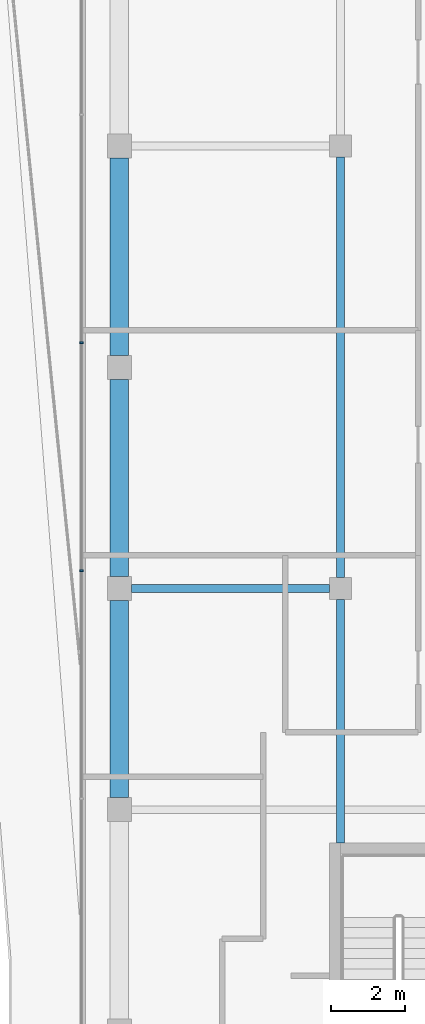
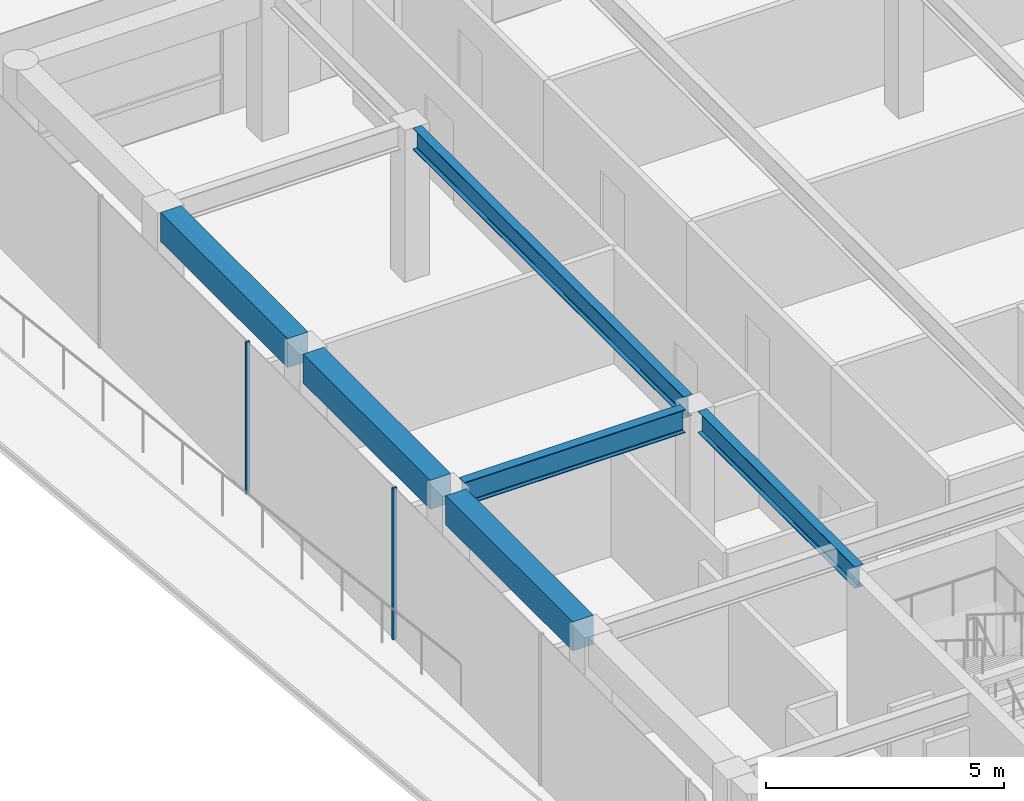
# One storey, part 8 of 20: 6 beams, 2 members, 1 element without a shape of its own.
"""IFC4 building model written with IfcOpenShell, lengths in metres."""

import ifcopenshell
import ifcopenshell.guid

model = None  # the IFC model being written
_history = None  # IfcOwnerHistory: only IFC2X3 demands one
_inside = {}  # id of a spatial element -> (the spatial element, [elements in it])
_under = {}  # id of a project, library or spatial element -> (it, [spatial elements below it])
_declared = {}  # id of a project -> (the project, [libraries it declares])
_typed = {}  # id of a type object -> (the type object, [elements of that type])
_made_of = {}  # id of a material, layer set ... -> (it, [elements and type objects made of it])


def new_model(schema):
    """Start an empty IFC model of exactly this schema.

    Asked for "IFC4X3", IfcOpenShell would pick the latest addendum, in which some entities
    have other attributes; the version numbers below select the first issue.
    IFC2X3 requires an IfcOwnerHistory on every rooted entity: one is made here for all.
    """
    global model, _history
    if schema == "IFC4X3":
        model = ifcopenshell.file(schema_version=(4, 3, 0, 0))
    else:
        model = ifcopenshell.file(schema=schema)
    _inside.clear()
    _under.clear()
    _declared.clear()
    _typed.clear()
    _made_of.clear()
    _history = None
    if model.schema == "IFC2X3":
        org = make("IfcOrganization", Name="unknown")
        user = make(
            "IfcPersonAndOrganization",
            ThePerson=make("IfcPerson", FamilyName="unknown"),
            TheOrganization=org,
        )
        app = make(
            "IfcApplication",
            ApplicationDeveloper=org,
            Version="unknown",
            ApplicationFullName="unknown",
            ApplicationIdentifier="unknown",
        )
        _history = make(
            "IfcOwnerHistory",
            OwningUser=user,
            OwningApplication=app,
            ChangeAction="ADDED",
            CreationDate=0,
        )
    return model


def make(cls, **values):
    """One entity of the class cls with the attributes given. An attribute that is None is left unset."""
    return model.create_entity(
        cls, **{name: value for name, value in values.items() if value is not None}
    )


def rooted(cls, **values):
    """An entity with a GlobalId (a new one), such as an element, a storey or a relation."""
    return make(cls, GlobalId=ifcopenshell.guid.new(), OwnerHistory=_history, **values)


def si_unit(unit_type, name, prefix=None):
    """IfcSIUnit, for example si_unit("LENGTHUNIT", "METRE", prefix="MILLI")."""
    return make("IfcSIUnit", UnitType=unit_type, Prefix=prefix, Name=name)


def assignment(units):
    """IfcUnitAssignment: the units of a project."""
    return None if units is None else make("IfcUnitAssignment", Units=units)


def point(xyz):
    """IfcCartesianPoint."""
    return None if xyz is None else make("IfcCartesianPoint", Coordinates=xyz)


def direction(xyz):
    """IfcDirection."""
    return None if xyz is None else make("IfcDirection", DirectionRatios=xyz)


def frame(location, z_axis=None, x_axis=None):
    """IfcAxis2Placement3D, a coordinate frame: its origin and axes. An axis left out is left unset."""
    return make(
        "IfcAxis2Placement3D",
        Location=point(location),
        Axis=direction(z_axis),
        RefDirection=direction(x_axis),
    )


def frame_2d(location, x_axis=None):
    """IfcAxis2Placement2D, a coordinate frame in the plane: its origin and x axis."""
    return make(
        "IfcAxis2Placement2D", Location=point(location), RefDirection=direction(x_axis)
    )


def origin():
    """The frame at (0, 0, 0) with its axes left unset."""
    return frame((0.0, 0.0, 0.0))


def origin_2d():
    """The frame at (0, 0) in the plane with its x axis left unset."""
    return frame_2d((0.0, 0.0))


def place(relative_to, where):
    """IfcLocalPlacement: puts the frame where relative to a parent placement (None: the world)."""
    return make(
        "IfcLocalPlacement", PlacementRelTo=relative_to, RelativePlacement=where
    )


def context(
    kind, dimensions, precision=None, world=None, true_north=None, identifier=None
):
    """IfcGeometricRepresentationContext, for example the 3D "Model" context."""
    return make(
        "IfcGeometricRepresentationContext",
        ContextIdentifier=identifier,
        ContextType=kind,
        CoordinateSpaceDimension=dimensions,
        Precision=precision,
        WorldCoordinateSystem=world,
        TrueNorth=true_north,
    )


def subcontext(parent, identifier, kind, view, scale=None):
    """IfcGeometricRepresentationSubContext, for example "Body" below "Model"."""
    return make(
        "IfcGeometricRepresentationSubContext",
        ContextIdentifier=identifier,
        ContextType=kind,
        ParentContext=parent,
        TargetScale=scale,
        TargetView=view,
    )


def project(units=None, contexts=None):
    """IfcProject with its units and contexts."""
    return rooted(
        "IfcProject",
        Name="project",
        RepresentationContexts=contexts,
        UnitsInContext=assignment(units),
    )


def spatial(cls, under=None, at=None, **own):
    """A site, building, storey or space (cls), placed at a placement, below another one or the project."""
    s = rooted(cls, ObjectPlacement=at, **own)
    if under is not None:
        _under.setdefault(under.id(), (under, []))[1].append(s)
    return s


def profile(cls, at=None, kind="AREA", **sizes):
    """A parametric profile (cls). Its sizes go by their IFC names, for example OverallWidth=200.0."""
    return make(cls, ProfileType=kind, Position=at, **sizes)


def rectangle(**sizes):
    """IfcRectangleProfileDef."""
    return profile("IfcRectangleProfileDef", **sizes)


def i_section(**sizes):
    """IfcIShapeProfileDef."""
    return profile("IfcIShapeProfileDef", **sizes)


def extrude(swept, where, along, depth):
    """IfcExtrudedAreaSolid: the profile swept, set in the frame where, extruded along a direction by depth."""
    return make(
        "IfcExtrudedAreaSolid",
        SweptArea=swept,
        Position=where,
        ExtrudedDirection=direction(along),
        Depth=depth,
    )


def shape(context_of_items, identifier, shape_type, items):
    """IfcShapeRepresentation: the items that make up one representation, for example the "Body"."""
    return make(
        "IfcShapeRepresentation",
        ContextOfItems=context_of_items,
        RepresentationIdentifier=identifier,
        RepresentationType=shape_type,
        Items=items,
    )


def material(Name=None, Category=None):
    """IfcMaterial."""
    return make("IfcMaterial", Name=Name, Category=Category)


def layer(
    of_material, thickness, ventilated=None, Name=None, Category=None, Priority=None
):
    """IfcMaterialLayer: one layer of a wall or slab, of a material (None: an air gap)."""
    return make(
        "IfcMaterialLayer",
        Material=of_material,
        LayerThickness=thickness,
        IsVentilated=ventilated,
        Name=Name,
        Category=Category,
        Priority=Priority,
    )


def layer_set(layers, Name=None):
    """IfcMaterialLayerSet."""
    return make("IfcMaterialLayerSet", MaterialLayers=layers, LayerSetName=Name)


def material_profile(
    of_material, cross_section, Name=None, Category=None, Priority=None
):
    """IfcMaterialProfile: a cross section and its material."""
    return make(
        "IfcMaterialProfile",
        Name=Name,
        Material=of_material,
        Profile=cross_section,
        Priority=Priority,
        Category=Category,
    )


def profile_set(profiles, Name=None, composite=None):
    """IfcMaterialProfileSet."""
    return make(
        "IfcMaterialProfileSet",
        Name=Name,
        MaterialProfiles=profiles,
        CompositeProfile=composite,
    )


def made_of(thing, what):
    """Note that an element or type object is made of a material, layer set ...; save() writes the relation."""
    if what is not None:
        _made_of.setdefault(what.id(), (what, []))[1].append(thing)
    return thing


def type_object(cls, material=None, **own):
    """A type object (cls), such as IfcWallType, which elements share."""
    return made_of(rooted(cls, **own), material)


def element(
    cls,
    number,
    at=None,
    inside=None,
    cuts=None,
    type_object=None,
    material=None,
    context=None,
    identifier="Body",
    shape_type=None,
    held_by="IfcProductDefinitionShape",
    body=None,
    shapes=None,
    **own,
):
    """One element of the class cls, such as IfcWall. Its Tag is "e" and its number.

    at: its placement. inside: the storey or other place that contains it. cuts: it is an
    opening in that element (IfcRelVoidsElement). A single representation is given by context,
    identifier, shape_type and body (its items); several are given by shapes. held_by: the class
    of the entity that holds the representations. save() writes the other relations.
    """
    e = rooted(cls, Tag="e%d" % number, ObjectPlacement=at, **own)
    if body is not None:
        shapes = [shape(context, identifier, shape_type, body)]
    if shapes is not None:
        e.Representation = make(held_by, Representations=shapes)
    if inside is not None:
        _inside.setdefault(inside.id(), (inside, []))[1].append(e)
    if cuts is not None:
        rooted(
            "IfcRelVoidsElement", RelatingBuildingElement=cuts, RelatedOpeningElement=e
        )
    if type_object is not None:
        _typed.setdefault(type_object.id(), (type_object, []))[1].append(e)
    return made_of(e, material)


def aggregate(whole, parts):
    """IfcRelAggregates: a whole, such as a stair, and the parts it consists of."""
    return rooted("IfcRelAggregates", RelatingObject=whole, RelatedObjects=parts)


def save(model, path):
    """Write the relations noted so far, then the file.

    IfcRelAggregates (storeys below a building ...), IfcRelContainedInSpatialStructure (elements
    in a storey), IfcRelDefinesByType, IfcRelAssociatesMaterial and IfcRelDeclares: one each for
    every whole, place, type object, material and project.
    """
    for whole, parts in _under.values():
        aggregate(whole, parts)
    for where, things in _inside.values():
        rooted(
            "IfcRelContainedInSpatialStructure",
            RelatedElements=things,
            RelatingStructure=where,
        )
    for kind, things in _typed.values():
        rooted("IfcRelDefinesByType", RelatedObjects=things, RelatingType=kind)
    for what, things in _made_of.values():
        rooted("IfcRelAssociatesMaterial", RelatedObjects=things, RelatingMaterial=what)
    for by, libraries in _declared.values():
        rooted("IfcRelDeclares", RelatingContext=by, RelatedDefinitions=libraries)
    model.write(path)


model = new_model("IFC4")

# Units and contexts
model_context = context("Model", 3, precision=1e-05, world=origin(), true_north=direction((0.0, 1.0)))
body_context = subcontext(model_context, "Body", "Model", "MODEL_VIEW")
ifc_project = project(units=[si_unit("LENGTHUNIT", "METRE"), si_unit("AREAUNIT", "SQUARE_METRE"), si_unit("VOLUMEUNIT", "CUBIC_METRE"), si_unit("PLANEANGLEUNIT", "RADIAN"), si_unit("MASSUNIT", "GRAM", prefix="KILO")], contexts=[model_context])

# Site, building, storey
site_placement = place(None, origin())
site = spatial("IfcSite", under=ifc_project, at=site_placement, CompositionType="ELEMENT")
building_placement = place(site_placement, origin())
building = spatial("IfcBuilding", under=site, at=building_placement, Name="Welwitschia Terrace Campus", CompositionType="ELEMENT")
storey_placement = place(building_placement, frame((0.0, 0.0, 314.60009765625)))
storey = spatial("IfcBuildingStorey", under=building, at=storey_placement, Name="L70", CompositionType="ELEMENT", Elevation=314.60009765625)

# Beams
ifc_material_1 = material(Name="Steel S355", Category="steel")
ifc_material_profile_1 = material_profile(ifc_material_1, i_section(OverallWidth=0.2099609375, OverallDepth=0.550048828125, WebThickness=0.010986328125, FlangeThickness=0.01708984375, FilletRadius=0.02392578125, at=origin_2d()))
ifc_profile_set_1 = profile_set([ifc_material_profile_1], Name="Steel S355")
beam_type_1 = type_object("IfcBeamType", Name="Interior girder IPE 550", PredefinedType="BEAM", material=ifc_profile_set_1)
beam_1_placement = place(storey_placement, frame((6.0, 25.10107421875, 3.625), z_axis=(0.0, 1.0, 0.0), x_axis=(-1.0, 0.0, 0.0)))
element("IfcBeam", 1, at=beam_1_placement, inside=storey, type_object=beam_type_1, Name="Girder GB7", PredefinedType="BEAM", context=body_context, shape_type="SweptSolid", body=[
    extrude(i_section(OverallWidth=0.2099609375, OverallDepth=0.550048828125, WebThickness=0.010986328125, FlangeThickness=0.01708984375, FilletRadius=0.02392578125, at=origin_2d()), origin(), (0.0, 0.0, 1.0), 6.598388671875),
])
beam_2_placement = place(storey_placement, frame((6.0, 32.300537109375, 3.625), z_axis=(0.0, 1.0, 0.0), x_axis=(-1.0, 0.0, 0.0)))
element("IfcBeam", 2, at=beam_2_placement, inside=storey, type_object=beam_type_1, Name="Girder GB7", PredefinedType="BEAM", context=body_context, shape_type="SweptSolid", body=[
    extrude(i_section(OverallWidth=0.2099609375, OverallDepth=0.550048828125, WebThickness=0.010986328125, FlangeThickness=0.01708984375, FilletRadius=0.02392578125, at=origin_2d()), origin(), (0.0, 0.0, 1.0), 11.39892578125),
])

# Curtain wall, members
ifc_material_2 = material(Name="Bronze anodised aluminium", Category="aluminium")
ifc_layer = layer(ifc_material_2, 0.10009765625)
ifc_layer_set = layer_set([ifc_layer], Name="Bronze anodised aluminium")
curtain_wall_type = type_object("IfcCurtainWallType", Name="Curtain wall CW5 crown 6000", PredefinedType="NOTDEFINED", material=ifc_layer_set)
curtain_wall_placement = place(storey_placement, origin())
curtain_wall = element("IfcCurtainWall", 3, at=curtain_wall_placement, inside=storey, type_object=curtain_wall_type, Name="CW L70.7.0", PredefinedType="NOTDEFINED")
ifc_material_3 = material(Name="Bronze anodised aluminium", Category="aluminium")
ifc_material_profile_2 = material_profile(ifc_material_3, rectangle(XDim=0.10009765625, YDim=0.050048828125, at=origin_2d()))
ifc_profile_set_2 = profile_set([ifc_material_profile_2], Name="Bronze anodised aluminium")
member_type = type_object("IfcMemberType", Name="Mullion 50x100", PredefinedType="MULLION", material=ifc_profile_set_2)
member_1_placement = place(storey_placement, frame((-1.030029296875, 38.665771484375, 0.0), z_axis=(0.0, 0.0, 1.0), x_axis=(1.0, 0.0, 0.0)))
member_1 = element("IfcMember", 4, at=member_1_placement, type_object=member_type, Name="Mullion L70.7.0.2", PredefinedType="MULLION", context=body_context, shape_type="SweptSolid", body=[
    extrude(rectangle(XDim=0.10009765625, YDim=0.050048828125, at=origin_2d()), origin(), (0.0, 0.0, 1.0), 3.89990234375),
])
member_2_placement = place(storey_placement, frame((-1.030029296875, 32.483642578125, 0.0), z_axis=(0.0, 0.0, 1.0), x_axis=(1.0, 0.0, 0.0)))
member_2 = element("IfcMember", 5, at=member_2_placement, type_object=member_type, Name="Mullion L70.7.0.3", PredefinedType="MULLION", context=body_context, shape_type="SweptSolid", body=[
    extrude(rectangle(XDim=0.10009765625, YDim=0.050048828125, at=origin_2d()), origin(), (0.0, 0.0, 1.0), 3.89990234375),
])
aggregate(curtain_wall, [member_1, member_2])

# Beams
ifc_material_4 = material(Name="Steel S355", Category="steel")
ifc_material_profile_3 = material_profile(ifc_material_4, i_section(OverallWidth=0.219970703125, OverallDepth=0.60009765625, WebThickness=0.011962890625, FlangeThickness=0.01904296875, FilletRadius=0.02392578125, at=origin_2d()))
ifc_profile_set_3 = profile_set([ifc_material_profile_3], Name="Steel S355")
beam_type_2 = type_object("IfcBeamType", Name="Primary beam IPE 600", PredefinedType="BEAM", material=ifc_profile_set_3)
beam_3_placement = place(storey_placement, frame((0.325439453125, 32.0, 3.599853515625), z_axis=(1.0, 0.0, 0.0), x_axis=(0.0, 1.0, 0.0)))
element("IfcBeam", 6, at=beam_3_placement, inside=storey, type_object=beam_type_2, Name="Primary beam PB7", PredefinedType="BEAM", context=body_context, shape_type="SweptSolid", body=[
    extrude(i_section(OverallWidth=0.219970703125, OverallDepth=0.60009765625, WebThickness=0.011962890625, FlangeThickness=0.01904296875, FilletRadius=0.02392578125, at=origin_2d()), origin(), (0.0, 0.0, 1.0), 5.3740234375),
])
ifc_material_5 = material(Name="Concrete C40/50", Category="concrete")
ifc_material_profile_4 = material_profile(ifc_material_5, rectangle(XDim=0.5, YDim=0.75, at=origin_2d()))
ifc_profile_set_4 = profile_set([ifc_material_profile_4], Name="Concrete C40/50")
beam_type_3 = type_object("IfcBeamType", Name="Ring spandrel 500x750", PredefinedType="SPANDREL", material=ifc_profile_set_4)
for number, where, z_axis, x_axis, name in (
    (7, (0.0, 43.674560546875, 3.52490234375), (0.0, -1.0, 0.0), (1.0, 0.0, 0.0), "Spandrel SP5"),
    (8, (0.0, 37.674560546875, 3.52490234375), (0.0, -1.0, 0.0), (1.0, 0.0, 0.0), "Spandrel SP5"),
    (9, (0.0, 31.674560546875, 3.52490234375), (0.0, -1.0, 0.0), (1.0, 0.0, 0.0), "Spandrel SP5"),
):
    element("IfcBeam", number, at=place(storey_placement, frame(where, z_axis=z_axis, x_axis=x_axis)), inside=storey, type_object=beam_type_3, Name=name, PredefinedType="SPANDREL", context=body_context, shape_type="SweptSolid", body=[
        extrude(rectangle(XDim=0.5, YDim=0.75, at=origin_2d()), origin(), (0.0, 0.0, 1.0), 5.34912109375),
    ])

save(model, "model.ifc")
